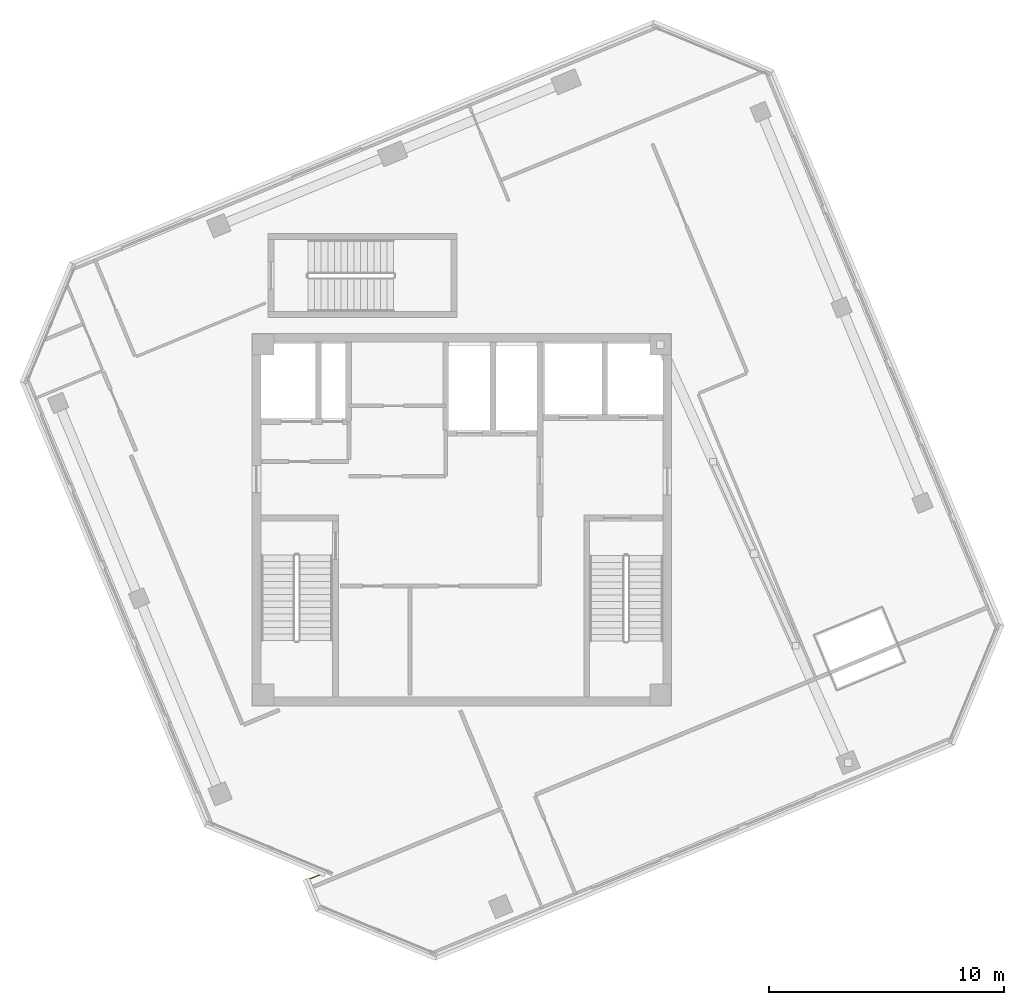
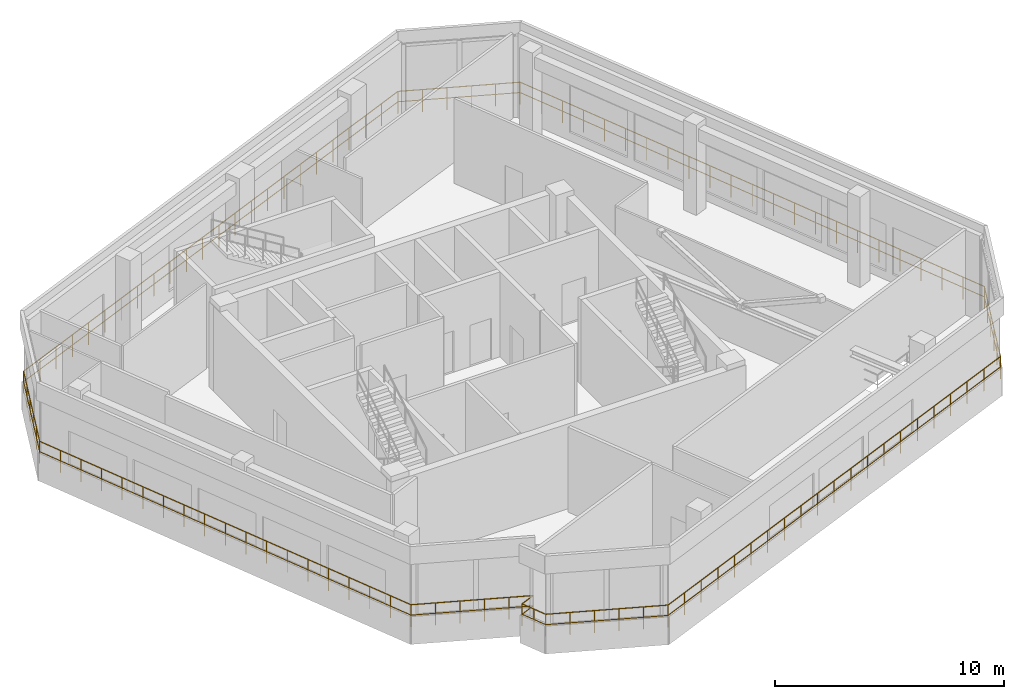
# One storey, part 15 of 17: 1 railing.
"""IFC4 building model written with IfcOpenShell, lengths in metres."""

from ifc_helpers import new_model, si_unit, direction, frame, origin, origin_2d, place, context, subcontext, project, spatial, circle, extrude, material, type_object, element, save


model = new_model("IFC4")

# Units and contexts
model_context = context("Model", 3, precision=1e-05, world=origin(), true_north=direction((0.0, 1.0)))
body_context = subcontext(model_context, "Body", "Model", "MODEL_VIEW")
ifc_project = project(units=[si_unit("LENGTHUNIT", "METRE"), si_unit("AREAUNIT", "SQUARE_METRE"), si_unit("VOLUMEUNIT", "CUBIC_METRE"), si_unit("PLANEANGLEUNIT", "RADIAN"), si_unit("MASSUNIT", "GRAM", prefix="KILO")], contexts=[model_context])

# Site, building, storey
site_placement = place(None, origin())
site = spatial("IfcSite", under=ifc_project, at=site_placement, CompositionType="ELEMENT")
building_placement = place(site_placement, origin())
building = spatial("IfcBuilding", under=site, at=building_placement, Name="Torre Montelarca", CompositionType="ELEMENT")
storey_placement = place(building_placement, frame((0.0, 0.0, 355.199951171875)))
storey = spatial("IfcBuildingStorey", under=building, at=storey_placement, Name="L80", CompositionType="ELEMENT", Elevation=355.199951171875)

# Railing
ifc_material = material(Name="Stainless steel AISI 316 and laminated glass", Category="steel")
railing_type = type_object("IfcRailingType", Name="RL-OBS-GUARD-1200", PredefinedType="BALUSTRADE", material=ifc_material)
railing_placement = place(storey_placement, frame((-0.6337890625, 37.877197265625, 0.56005859375)))
element("IfcRailing", 1, at=railing_placement, inside=storey, type_object=railing_type, Name="L80 Illuminated Damper Gallery Perimeter Guard Collar", PredefinedType="BALUSTRADE", context=body_context, shape_type="SweptSolid", body=[
    extrude(circle(Radius=0.02392578125, at=origin_2d()), frame((0.0, 0.0, 1.17578125), z_axis=(0.382674516725, -0.92388322544, 0.0), x_axis=(0.92388322544, 0.382674516725, 0.0)), (0.0, 0.0, 1.0), 20.400146484375),
    extrude(circle(Radius=0.02099609375, at=origin_2d()), frame((0.0, 0.0, 0.6240234375), z_axis=(0.382674516725, -0.92388322544, 0.0), x_axis=(0.92388322544, 0.382674516725, 0.0)), (0.0, 0.0, 1.0), 20.400146484375),
    extrude(circle(Radius=0.02392578125, at=origin_2d()), frame((7.806640625, -18.847412109375, 1.17578125), z_axis=(0.923886712275, -0.382666098421, 0.0), x_axis=(0.382666098421, 0.923886712275, 0.0)), (0.0, 0.0, 1.0), 5.373779296875),
    extrude(circle(Radius=0.02099609375, at=origin_2d()), frame((7.806640625, -18.847412109375, 0.6240234375), z_axis=(0.923886712275, -0.382666098421, 0.0), x_axis=(0.382666098421, 0.923886712275, 0.0)), (0.0, 0.0, 1.0), 5.373779296875),
    extrude(circle(Radius=0.02392578125, at=origin_2d()), frame((12.771484375, -20.90380859375, 1.17578125), z_axis=(-0.923860588688, -0.382729163599, 0.0), x_axis=(0.382729163599, -0.923860588688, 0.0)), (0.0, 0.0, 1.0), 0.7998046875),
    extrude(circle(Radius=0.02099609375, at=origin_2d()), frame((12.771484375, -20.90380859375, 0.6240234375), z_axis=(-0.923860588688, -0.382729163599, 0.0), x_axis=(0.382729163599, -0.923860588688, 0.0)), (0.0, 0.0, 1.0), 0.7998046875),
    extrude(circle(Radius=0.02392578125, at=origin_2d()), frame((12.032470703125, -21.2099609375, 1.17578125), z_axis=(0.382760937611, -0.923847424979, 0.0), x_axis=(0.923847424979, 0.382760937611, 0.0)), (0.0, 0.0, 1.0), 1.2998046875),
    extrude(circle(Radius=0.02099609375, at=origin_2d()), frame((12.032470703125, -21.2099609375, 0.6240234375), z_axis=(0.382760937611, -0.923847424979, 0.0), x_axis=(0.923847424979, 0.382760937611, 0.0)), (0.0, 0.0, 1.0), 1.2998046875),
    extrude(circle(Radius=0.02392578125, at=origin_2d()), frame((12.530029296875, -22.410888671875, 1.17578125), z_axis=(0.923870650027, -0.382704875876, 0.0), x_axis=(0.382704875876, 0.923870650027, 0.0)), (0.0, 0.0, 1.0), 5.3740234375),
    extrude(circle(Radius=0.02099609375, at=origin_2d()), frame((12.530029296875, -22.410888671875, 0.6240234375), z_axis=(0.923870650027, -0.382704875876, 0.0), x_axis=(0.382704875876, 0.923870650027, 0.0)), (0.0, 0.0, 1.0), 5.3740234375),
    extrude(circle(Radius=0.02392578125, at=origin_2d()), frame((17.494873046875, -24.467529296875, 1.17578125), z_axis=(0.923878554305, 0.382685793956, 0.0), x_axis=(-0.382685793956, 0.923878554305, 0.0)), (0.0, 0.0, 1.0), 23.800048828125),
    extrude(circle(Radius=0.02099609375, at=origin_2d()), frame((17.494873046875, -24.467529296875, 0.6240234375), z_axis=(0.923878554305, 0.382685793956, 0.0), x_axis=(-0.382685793956, 0.923878554305, 0.0)), (0.0, 0.0, 1.0), 23.800048828125),
    extrude(circle(Radius=0.02392578125, at=origin_2d()), frame((39.483154296875, -15.359619140625, 1.17578125), z_axis=(0.382704875876, 0.923870650027, 0.0), x_axis=(-0.923870650027, 0.382704875876, 0.0)), (0.0, 0.0, 1.0), 5.3740234375),
    extrude(circle(Radius=0.02099609375, at=origin_2d()), frame((39.483154296875, -15.359619140625, 0.6240234375), z_axis=(0.382704875876, 0.923870650027, 0.0), x_axis=(-0.923870650027, 0.382704875876, 0.0)), (0.0, 0.0, 1.0), 5.3740234375),
    extrude(circle(Radius=0.02392578125, at=origin_2d()), frame((41.539794921875, -10.394775390625, 1.17578125), z_axis=(-0.382685227406, 0.923878788979, 0.0), x_axis=(-0.923878788979, -0.382685227406, 0.0)), (0.0, 0.0, 1.0), 25.500244140625),
    extrude(circle(Radius=0.02099609375, at=origin_2d()), frame((41.539794921875, -10.394775390625, 0.6240234375), z_axis=(-0.382685227406, 0.923878788979, 0.0), x_axis=(-0.923878788979, -0.382685227406, 0.0)), (0.0, 0.0, 1.0), 25.500244140625),
    extrude(circle(Radius=0.02392578125, at=origin_2d()), frame((31.78125, 13.164306640625, 1.17578125), z_axis=(-0.923886712275, 0.382666098421, 0.0), x_axis=(-0.382666098421, -0.923886712275, 0.0)), (0.0, 0.0, 1.0), 5.373779296875),
    extrude(circle(Radius=0.02099609375, at=origin_2d()), frame((31.78125, 13.164306640625, 0.6240234375), z_axis=(-0.923886712275, 0.382666098421, 0.0), x_axis=(-0.382666098421, -0.923886712275, 0.0)), (0.0, 0.0, 1.0), 5.373779296875),
    extrude(circle(Radius=0.02392578125, at=origin_2d()), frame((26.81640625, 15.220703125, 1.17578125), z_axis=(-0.923880488611, -0.382681124127, 0.0), x_axis=(0.382681124127, -0.923880488611, 0.0)), (0.0, 0.0, 1.0), 26.800048828125),
    extrude(circle(Radius=0.02099609375, at=origin_2d()), frame((26.81640625, 15.220703125, 0.6240234375), z_axis=(-0.923880488611, -0.382681124127, 0.0), x_axis=(0.382681124127, -0.923880488611, 0.0)), (0.0, 0.0, 1.0), 26.800048828125),
    extrude(circle(Radius=0.02392578125, at=origin_2d()), frame((2.056396484375, 4.96484375, 1.17578125), z_axis=(-0.382666098421, -0.923886712275, 0.0), x_axis=(0.923886712275, -0.382666098421, 0.0)), (0.0, 0.0, 1.0), 5.373779296875),
    extrude(circle(Radius=0.02099609375, at=origin_2d()), frame((2.056396484375, 4.96484375, 0.6240234375), z_axis=(-0.382666098421, -0.923886712275, 0.0), x_axis=(0.923886712275, -0.382666098421, 0.0)), (0.0, 0.0, 1.0), 5.373779296875),
    extrude(circle(Radius=0.02099609375, at=origin_2d()), origin(), (0.0, 0.0, 1.0), 1.15185546875),
    extrude(circle(Radius=0.02099609375, at=origin_2d()), frame((0.43359375, -1.047119140625, 0.0)), (0.0, 0.0, 1.0), 1.15185546875),
    extrude(circle(Radius=0.02099609375, at=origin_2d()), frame((0.867431640625, -2.09423828125, 0.0)), (0.0, 0.0, 1.0), 1.15185546875),
    extrude(circle(Radius=0.02099609375, at=origin_2d()), frame((1.301025390625, -3.14111328125, 0.0)), (0.0, 0.0, 1.0), 1.15185546875),
    extrude(circle(Radius=0.02099609375, at=origin_2d()), frame((1.73486328125, -4.188232421875, 0.0)), (0.0, 0.0, 1.0), 1.15185546875),
    extrude(circle(Radius=0.02099609375, at=origin_2d()), frame((2.16845703125, -5.2353515625, 0.0)), (0.0, 0.0, 1.0), 1.15185546875),
    extrude(circle(Radius=0.02099609375, at=origin_2d()), frame((2.602294921875, -6.282470703125, 0.0)), (0.0, 0.0, 1.0), 1.15185546875),
    extrude(circle(Radius=0.02099609375, at=origin_2d()), frame((3.035888671875, -7.32958984375, 0.0)), (0.0, 0.0, 1.0), 1.15185546875),
    extrude(circle(Radius=0.02099609375, at=origin_2d()), frame((3.4697265625, -8.376708984375, 0.0)), (0.0, 0.0, 1.0), 1.15185546875),
    extrude(circle(Radius=0.02099609375, at=origin_2d()), frame((3.9033203125, -9.423828125, 0.0)), (0.0, 0.0, 1.0), 1.15185546875),
    extrude(circle(Radius=0.02099609375, at=origin_2d()), frame((4.3369140625, -10.470703125, 0.0)), (0.0, 0.0, 1.0), 1.15185546875),
    extrude(circle(Radius=0.02099609375, at=origin_2d()), frame((4.770751953125, -11.517822265625, 0.0)), (0.0, 0.0, 1.0), 1.15185546875),
    extrude(circle(Radius=0.02099609375, at=origin_2d()), frame((5.204345703125, -12.56494140625, 0.0)), (0.0, 0.0, 1.0), 1.15185546875),
    extrude(circle(Radius=0.02099609375, at=origin_2d()), frame((5.63818359375, -13.612060546875, 0.0)), (0.0, 0.0, 1.0), 1.15185546875),
    extrude(circle(Radius=0.02099609375, at=origin_2d()), frame((6.07177734375, -14.6591796875, 0.0)), (0.0, 0.0, 1.0), 1.15185546875),
    extrude(circle(Radius=0.02099609375, at=origin_2d()), frame((6.505615234375, -15.7060546875, 0.0)), (0.0, 0.0, 1.0), 1.15185546875),
    extrude(circle(Radius=0.02099609375, at=origin_2d()), frame((6.939208984375, -16.753173828125, 0.0)), (0.0, 0.0, 1.0), 1.15185546875),
    extrude(circle(Radius=0.02099609375, at=origin_2d()), frame((7.373046875, -17.80029296875, 0.0)), (0.0, 0.0, 1.0), 1.15185546875),
    extrude(circle(Radius=0.02099609375, at=origin_2d()), frame((7.806640625, -18.847412109375, 0.0)), (0.0, 0.0, 1.0), 1.15185546875),
    extrude(circle(Radius=0.02099609375, at=origin_2d()), frame((8.799560546875, -19.2587890625, 0.0)), (0.0, 0.0, 1.0), 1.15185546875),
    extrude(circle(Radius=0.02099609375, at=origin_2d()), frame((9.79248046875, -19.669921875, 0.0)), (0.0, 0.0, 1.0), 1.15185546875),
    extrude(circle(Radius=0.02099609375, at=origin_2d()), frame((10.78564453125, -20.081298828125, 0.0)), (0.0, 0.0, 1.0), 1.15185546875),
    extrude(circle(Radius=0.02099609375, at=origin_2d()), frame((11.778564453125, -20.492431640625, 0.0)), (0.0, 0.0, 1.0), 1.15185546875),
    extrude(circle(Radius=0.02099609375, at=origin_2d()), frame((12.771484375, -20.90380859375, 0.0)), (0.0, 0.0, 1.0), 1.15185546875),
    extrude(circle(Radius=0.02099609375, at=origin_2d()), frame((12.032470703125, -21.2099609375, 0.0)), (0.0, 0.0, 1.0), 1.15185546875),
    extrude(circle(Radius=0.02099609375, at=origin_2d()), frame((12.28125, -21.810546875, 0.0)), (0.0, 0.0, 1.0), 1.15185546875),
    extrude(circle(Radius=0.02099609375, at=origin_2d()), frame((12.530029296875, -22.410888671875, 0.0)), (0.0, 0.0, 1.0), 1.15185546875),
    extrude(circle(Radius=0.02099609375, at=origin_2d()), frame((13.52294921875, -22.822265625, 0.0)), (0.0, 0.0, 1.0), 1.15185546875),
    extrude(circle(Radius=0.02099609375, at=origin_2d()), frame((14.515869140625, -23.233642578125, 0.0)), (0.0, 0.0, 1.0), 1.15185546875),
    extrude(circle(Radius=0.02099609375, at=origin_2d()), frame((15.509033203125, -23.644775390625, 0.0)), (0.0, 0.0, 1.0), 1.15185546875),
    extrude(circle(Radius=0.02099609375, at=origin_2d()), frame((16.501953125, -24.05615234375, 0.0)), (0.0, 0.0, 1.0), 1.15185546875),
    extrude(circle(Radius=0.02099609375, at=origin_2d()), frame((17.494873046875, -24.467529296875, 0.0)), (0.0, 0.0, 1.0), 1.15185546875),
    extrude(circle(Radius=0.02099609375, at=origin_2d()), frame((18.59423828125, -24.01220703125, 0.0)), (0.0, 0.0, 1.0), 1.15185546875),
    extrude(circle(Radius=0.02099609375, at=origin_2d()), frame((19.693603515625, -23.556640625, 0.0)), (0.0, 0.0, 1.0), 1.15185546875),
    extrude(circle(Radius=0.02099609375, at=origin_2d()), frame((20.793212890625, -23.101318359375, 0.0)), (0.0, 0.0, 1.0), 1.15185546875),
    extrude(circle(Radius=0.02099609375, at=origin_2d()), frame((21.892578125, -22.64599609375, 0.0)), (0.0, 0.0, 1.0), 1.15185546875),
    extrude(circle(Radius=0.02099609375, at=origin_2d()), frame((22.991943359375, -22.1904296875, 0.0)), (0.0, 0.0, 1.0), 1.15185546875),
    extrude(circle(Radius=0.02099609375, at=origin_2d()), frame((24.09130859375, -21.735107421875, 0.0)), (0.0, 0.0, 1.0), 1.15185546875),
    extrude(circle(Radius=0.02099609375, at=origin_2d()), frame((25.190673828125, -21.27978515625, 0.0)), (0.0, 0.0, 1.0), 1.15185546875),
    extrude(circle(Radius=0.02099609375, at=origin_2d()), frame((26.290283203125, -20.824462890625, 0.0)), (0.0, 0.0, 1.0), 1.15185546875),
    extrude(circle(Radius=0.02099609375, at=origin_2d()), frame((27.3896484375, -20.368896484375, 0.0)), (0.0, 0.0, 1.0), 1.15185546875),
    extrude(circle(Radius=0.02099609375, at=origin_2d()), frame((28.489013671875, -19.91357421875, 0.0)), (0.0, 0.0, 1.0), 1.15185546875),
    extrude(circle(Radius=0.02099609375, at=origin_2d()), frame((29.58837890625, -19.458251953125, 0.0)), (0.0, 0.0, 1.0), 1.15185546875),
    extrude(circle(Radius=0.02099609375, at=origin_2d()), frame((30.687744140625, -19.002685546875, 0.0)), (0.0, 0.0, 1.0), 1.15185546875),
    extrude(circle(Radius=0.02099609375, at=origin_2d()), frame((31.787353515625, -18.54736328125, 0.0)), (0.0, 0.0, 1.0), 1.15185546875),
    extrude(circle(Radius=0.02099609375, at=origin_2d()), frame((32.88671875, -18.092041015625, 0.0)), (0.0, 0.0, 1.0), 1.15185546875),
    extrude(circle(Radius=0.02099609375, at=origin_2d()), frame((33.986083984375, -17.63671875, 0.0)), (0.0, 0.0, 1.0), 1.15185546875),
    extrude(circle(Radius=0.02099609375, at=origin_2d()), frame((35.08544921875, -17.18115234375, 0.0)), (0.0, 0.0, 1.0), 1.15185546875),
    extrude(circle(Radius=0.02099609375, at=origin_2d()), frame((36.184814453125, -16.725830078125, 0.0)), (0.0, 0.0, 1.0), 1.15185546875),
    extrude(circle(Radius=0.02099609375, at=origin_2d()), frame((37.284423828125, -16.2705078125, 0.0)), (0.0, 0.0, 1.0), 1.15185546875),
    extrude(circle(Radius=0.02099609375, at=origin_2d()), frame((38.3837890625, -15.81494140625, 0.0)), (0.0, 0.0, 1.0), 1.15185546875),
    extrude(circle(Radius=0.02099609375, at=origin_2d()), frame((39.483154296875, -15.359619140625, 0.0)), (0.0, 0.0, 1.0), 1.15185546875),
    extrude(circle(Radius=0.02099609375, at=origin_2d()), frame((39.89453125, -14.36669921875, 0.0)), (0.0, 0.0, 1.0), 1.15185546875),
    extrude(circle(Radius=0.02099609375, at=origin_2d()), frame((40.305908203125, -13.373779296875, 0.0)), (0.0, 0.0, 1.0), 1.15185546875),
    extrude(circle(Radius=0.02099609375, at=origin_2d()), frame((40.717041015625, -12.380615234375, 0.0)), (0.0, 0.0, 1.0), 1.15185546875),
    extrude(circle(Radius=0.02099609375, at=origin_2d()), frame((41.12841796875, -11.3876953125, 0.0)), (0.0, 0.0, 1.0), 1.15185546875),
    extrude(circle(Radius=0.02099609375, at=origin_2d()), frame((41.539794921875, -10.394775390625, 0.0)), (0.0, 0.0, 1.0), 1.15185546875),
    extrude(circle(Radius=0.02099609375, at=origin_2d()), frame((41.09619140625, -9.323974609375, 0.0)), (0.0, 0.0, 1.0), 1.15185546875),
    extrude(circle(Radius=0.02099609375, at=origin_2d()), frame((40.652587890625, -8.2529296875, 0.0)), (0.0, 0.0, 1.0), 1.15185546875),
    extrude(circle(Radius=0.02099609375, at=origin_2d()), frame((40.208984375, -7.18212890625, 0.0)), (0.0, 0.0, 1.0), 1.15185546875),
    extrude(circle(Radius=0.02099609375, at=origin_2d()), frame((39.765625, -6.111328125, 0.0)), (0.0, 0.0, 1.0), 1.15185546875),
    extrude(circle(Radius=0.02099609375, at=origin_2d()), frame((39.322021484375, -5.04052734375, 0.0)), (0.0, 0.0, 1.0), 1.15185546875),
    extrude(circle(Radius=0.02099609375, at=origin_2d()), frame((38.87841796875, -3.969482421875, 0.0)), (0.0, 0.0, 1.0), 1.15185546875),
    extrude(circle(Radius=0.02099609375, at=origin_2d()), frame((38.434814453125, -2.898681640625, 0.0)), (0.0, 0.0, 1.0), 1.15185546875),
    extrude(circle(Radius=0.02099609375, at=origin_2d()), frame((37.9912109375, -1.827880859375, 0.0)), (0.0, 0.0, 1.0), 1.15185546875),
    extrude(circle(Radius=0.02099609375, at=origin_2d()), frame((37.547607421875, -0.757080078125, 0.0)), (0.0, 0.0, 1.0), 1.15185546875),
    extrude(circle(Radius=0.02099609375, at=origin_2d()), frame((37.10400390625, 0.31396484375, 0.0)), (0.0, 0.0, 1.0), 1.15185546875),
    extrude(circle(Radius=0.02099609375, at=origin_2d()), frame((36.66064453125, 1.384765625, 0.0)), (0.0, 0.0, 1.0), 1.15185546875),
    extrude(circle(Radius=0.02099609375, at=origin_2d()), frame((36.217041015625, 2.45556640625, 0.0)), (0.0, 0.0, 1.0), 1.15185546875),
    extrude(circle(Radius=0.02099609375, at=origin_2d()), frame((35.7734375, 3.526611328125, 0.0)), (0.0, 0.0, 1.0), 1.15185546875),
    extrude(circle(Radius=0.02099609375, at=origin_2d()), frame((35.329833984375, 4.597412109375, 0.0)), (0.0, 0.0, 1.0), 1.15185546875),
    extrude(circle(Radius=0.02099609375, at=origin_2d()), frame((34.88623046875, 5.668212890625, 0.0)), (0.0, 0.0, 1.0), 1.15185546875),
    extrude(circle(Radius=0.02099609375, at=origin_2d()), frame((34.442626953125, 6.739013671875, 0.0)), (0.0, 0.0, 1.0), 1.15185546875),
    extrude(circle(Radius=0.02099609375, at=origin_2d()), frame((33.9990234375, 7.81005859375, 0.0)), (0.0, 0.0, 1.0), 1.15185546875),
    extrude(circle(Radius=0.02099609375, at=origin_2d()), frame((33.555419921875, 8.880859375, 0.0)), (0.0, 0.0, 1.0), 1.15185546875),
    extrude(circle(Radius=0.02099609375, at=origin_2d()), frame((33.112060546875, 9.95166015625, 0.0)), (0.0, 0.0, 1.0), 1.15185546875),
    extrude(circle(Radius=0.02099609375, at=origin_2d()), frame((32.66845703125, 11.0224609375, 0.0)), (0.0, 0.0, 1.0), 1.15185546875),
    extrude(circle(Radius=0.02099609375, at=origin_2d()), frame((32.224853515625, 12.093505859375, 0.0)), (0.0, 0.0, 1.0), 1.15185546875),
    extrude(circle(Radius=0.02099609375, at=origin_2d()), frame((31.78125, 13.164306640625, 0.0)), (0.0, 0.0, 1.0), 1.15185546875),
    extrude(circle(Radius=0.02099609375, at=origin_2d()), frame((30.788330078125, 13.57568359375, 0.0)), (0.0, 0.0, 1.0), 1.15185546875),
    extrude(circle(Radius=0.02099609375, at=origin_2d()), frame((29.79541015625, 13.98681640625, 0.0)), (0.0, 0.0, 1.0), 1.15185546875),
    extrude(circle(Radius=0.02099609375, at=origin_2d()), frame((28.80224609375, 14.398193359375, 0.0)), (0.0, 0.0, 1.0), 1.15185546875),
    extrude(circle(Radius=0.02099609375, at=origin_2d()), frame((27.809326171875, 14.809326171875, 0.0)), (0.0, 0.0, 1.0), 1.15185546875),
    extrude(circle(Radius=0.02099609375, at=origin_2d()), frame((26.81640625, 15.220703125, 0.0)), (0.0, 0.0, 1.0), 1.15185546875),
    extrude(circle(Radius=0.02099609375, at=origin_2d()), frame((25.739990234375, 14.77490234375, 0.0)), (0.0, 0.0, 1.0), 1.15185546875),
    extrude(circle(Radius=0.02099609375, at=origin_2d()), frame((24.663330078125, 14.328857421875, 0.0)), (0.0, 0.0, 1.0), 1.15185546875),
    extrude(circle(Radius=0.02099609375, at=origin_2d()), frame((23.5869140625, 13.883056640625, 0.0)), (0.0, 0.0, 1.0), 1.15185546875),
    extrude(circle(Radius=0.02099609375, at=origin_2d()), frame((22.51025390625, 13.43701171875, 0.0)), (0.0, 0.0, 1.0), 1.15185546875),
    extrude(circle(Radius=0.02099609375, at=origin_2d()), frame((21.433837890625, 12.9912109375, 0.0)), (0.0, 0.0, 1.0), 1.15185546875),
    extrude(circle(Radius=0.02099609375, at=origin_2d()), frame((20.357177734375, 12.545166015625, 0.0)), (0.0, 0.0, 1.0), 1.15185546875),
    extrude(circle(Radius=0.02099609375, at=origin_2d()), frame((19.28076171875, 12.099365234375, 0.0)), (0.0, 0.0, 1.0), 1.15185546875),
    extrude(circle(Radius=0.02099609375, at=origin_2d()), frame((18.204345703125, 11.653564453125, 0.0)), (0.0, 0.0, 1.0), 1.15185546875),
    extrude(circle(Radius=0.02099609375, at=origin_2d()), frame((17.127685546875, 11.20751953125, 0.0)), (0.0, 0.0, 1.0), 1.15185546875),
    extrude(circle(Radius=0.02099609375, at=origin_2d()), frame((16.05126953125, 10.76171875, 0.0)), (0.0, 0.0, 1.0), 1.15185546875),
    extrude(circle(Radius=0.02099609375, at=origin_2d()), frame((14.974609375, 10.315673828125, 0.0)), (0.0, 0.0, 1.0), 1.15185546875),
    extrude(circle(Radius=0.02099609375, at=origin_2d()), frame((13.898193359375, 9.869873046875, 0.0)), (0.0, 0.0, 1.0), 1.15185546875),
    extrude(circle(Radius=0.02099609375, at=origin_2d()), frame((12.821533203125, 9.423828125, 0.0)), (0.0, 0.0, 1.0), 1.15185546875),
    extrude(circle(Radius=0.02099609375, at=origin_2d()), frame((11.7451171875, 8.97802734375, 0.0)), (0.0, 0.0, 1.0), 1.15185546875),
    extrude(circle(Radius=0.02099609375, at=origin_2d()), frame((10.66845703125, 8.531982421875, 0.0)), (0.0, 0.0, 1.0), 1.15185546875),
    extrude(circle(Radius=0.02099609375, at=origin_2d()), frame((9.592041015625, 8.086181640625, 0.0)), (0.0, 0.0, 1.0), 1.15185546875),
    extrude(circle(Radius=0.02099609375, at=origin_2d()), frame((8.515625, 7.640380859375, 0.0)), (0.0, 0.0, 1.0), 1.15185546875),
    extrude(circle(Radius=0.02099609375, at=origin_2d()), frame((7.43896484375, 7.1943359375, 0.0)), (0.0, 0.0, 1.0), 1.15185546875),
    extrude(circle(Radius=0.02099609375, at=origin_2d()), frame((6.362548828125, 6.74853515625, 0.0)), (0.0, 0.0, 1.0), 1.15185546875),
    extrude(circle(Radius=0.02099609375, at=origin_2d()), frame((5.285888671875, 6.302490234375, 0.0)), (0.0, 0.0, 1.0), 1.15185546875),
    extrude(circle(Radius=0.02099609375, at=origin_2d()), frame((4.20947265625, 5.856689453125, 0.0)), (0.0, 0.0, 1.0), 1.15185546875),
    extrude(circle(Radius=0.02099609375, at=origin_2d()), frame((3.1328125, 5.41064453125, 0.0)), (0.0, 0.0, 1.0), 1.15185546875),
    extrude(circle(Radius=0.02099609375, at=origin_2d()), frame((2.056396484375, 4.96484375, 0.0)), (0.0, 0.0, 1.0), 1.15185546875),
    extrude(circle(Radius=0.02099609375, at=origin_2d()), frame((1.64501953125, 3.971923828125, 0.0)), (0.0, 0.0, 1.0), 1.15185546875),
    extrude(circle(Radius=0.02099609375, at=origin_2d()), frame((1.23388671875, 2.97900390625, 0.0)), (0.0, 0.0, 1.0), 1.15185546875),
    extrude(circle(Radius=0.02099609375, at=origin_2d()), frame((0.822509765625, 1.98583984375, 0.0)), (0.0, 0.0, 1.0), 1.15185546875),
    extrude(circle(Radius=0.02099609375, at=origin_2d()), frame((0.411376953125, 0.992919921875, 0.0)), (0.0, 0.0, 1.0), 1.15185546875),
])

save(model, "model.ifc")
